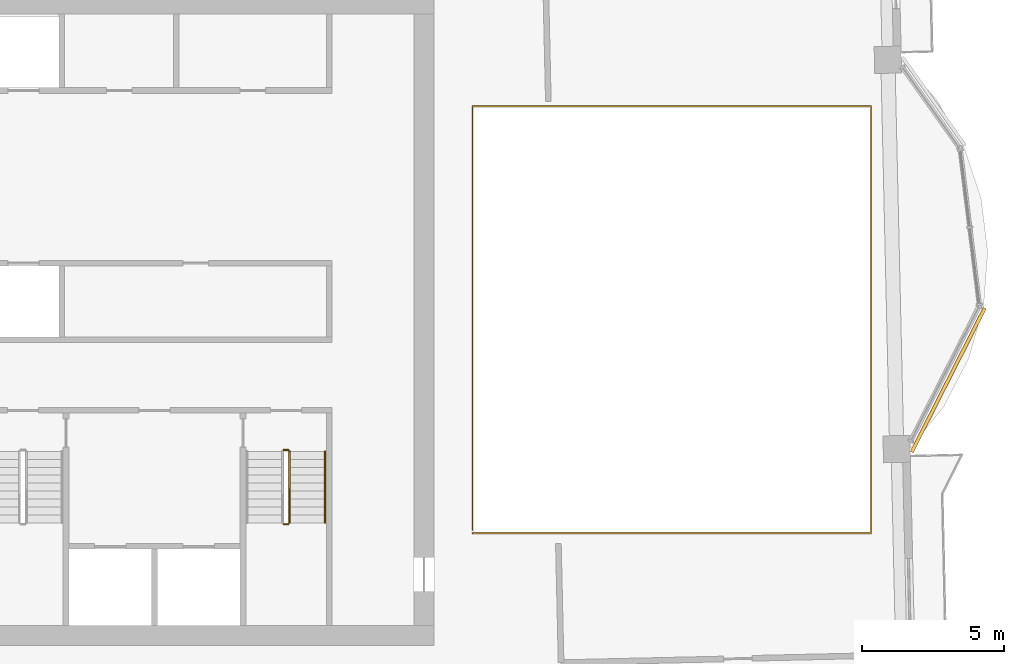
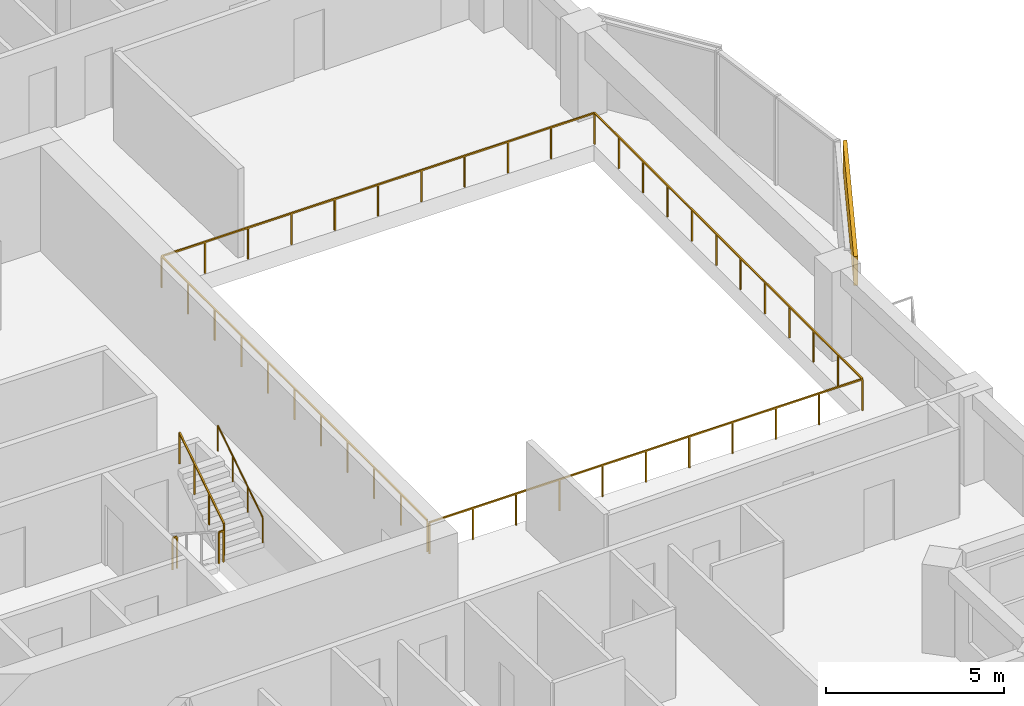
# One storey, part 19 of 20: 5 railings, 1 covering.
"""IFC4 building model written with IfcOpenShell, lengths in metres."""

from ifc_helpers import new_model, si_unit, direction, frame, frame_2d, origin, origin_2d, place, context, subcontext, project, spatial, rectangle, circle, extrude, material, layer, layer_set, type_object, element, save


model = new_model("IFC4")

# Units and contexts
model_context = context("Model", 3, precision=1e-05, world=origin(), true_north=direction((0.0, 1.0)))
body_context = subcontext(model_context, "Body", "Model", "MODEL_VIEW")
ifc_project = project(units=[si_unit("LENGTHUNIT", "METRE"), si_unit("AREAUNIT", "SQUARE_METRE"), si_unit("VOLUMEUNIT", "CUBIC_METRE"), si_unit("PLANEANGLEUNIT", "RADIAN"), si_unit("MASSUNIT", "GRAM", prefix="KILO")], contexts=[model_context])

# Site, building, storey
site_placement = place(None, origin())
site = spatial("IfcSite", under=ifc_project, at=site_placement, CompositionType="ELEMENT")
building_placement = place(site_placement, origin())
building = spatial("IfcBuilding", under=site, at=building_placement, Name="Mangrove Gate Tower", CompositionType="ELEMENT")
storey_placement = place(building_placement, frame((0.0, 0.0, 294.300048828125)))
storey = spatial("IfcBuildingStorey", under=building, at=storey_placement, Name="L75", CompositionType="ELEMENT", Elevation=294.300048828125)

# Railings
ifc_material_1 = material(Name="Stainless steel grade 316 with laminated glass infill", Category="steel")
railing_type_1 = type_object("IfcRailingType", Name="Balcony guard 1100", PredefinedType="GUARDRAIL", material=ifc_material_1)
railing_1_placement = place(storey_placement, frame((15.860107421875, -7.5400390625, 0.0)))
element("IfcRailing", 1, at=railing_1_placement, inside=storey, type_object=railing_type_1, Name="GUARD L75 atrium", PredefinedType="GUARDRAIL", context=body_context, shape_type="SweptSolid", body=[
    extrude(rectangle(XDim=0.048095703125, YDim=0.048095703125, at=origin_2d()), frame((0.0, 0.0, 1.076171875), z_axis=(1.0, 0.0, 0.0), x_axis=(0.0, 1.0, 0.0)), (0.0, 0.0, 1.0), 14.06982421875),
    extrude(rectangle(XDim=0.048095703125, YDim=0.048095703125, at=origin_2d()), frame((14.06982421875, 0.0, 1.076171875), z_axis=(0.0, 1.0, 0.0), x_axis=(-1.0, 0.0, 0.0)), (0.0, 0.0, 1.0), 15.080078125),
    extrude(rectangle(XDim=0.048095703125, YDim=0.048095703125, at=origin_2d()), frame((14.06982421875, 15.080078125, 1.076171875), z_axis=(-1.0, 0.0, 0.0), x_axis=(0.0, -1.0, 0.0)), (0.0, 0.0, 1.0), 14.06982421875),
    extrude(rectangle(XDim=0.048095703125, YDim=0.048095703125, at=origin_2d()), frame((0.0, 15.080078125, 1.076171875), z_axis=(0.0, -1.0, 0.0), x_axis=(1.0, 0.0, 0.0)), (0.0, 0.0, 1.0), 14.9599609375),
    extrude(rectangle(XDim=0.0419921875, YDim=0.0419921875, at=origin_2d()), origin(), (0.0, 0.0, 1.0), 1.052001953125),
    extrude(rectangle(XDim=0.0419921875, YDim=0.0419921875, at=origin_2d()), frame((1.406982421875, 0.0, 0.0)), (0.0, 0.0, 1.0), 1.052001953125),
    extrude(rectangle(XDim=0.0419921875, YDim=0.0419921875, at=origin_2d()), frame((2.81396484375, 0.0, 0.0)), (0.0, 0.0, 1.0), 1.052001953125),
    extrude(rectangle(XDim=0.0419921875, YDim=0.0419921875, at=origin_2d()), frame((4.220947265625, 0.0, 0.0)), (0.0, 0.0, 1.0), 1.052001953125),
    extrude(rectangle(XDim=0.0419921875, YDim=0.0419921875, at=origin_2d()), frame((5.6279296875, 0.0, 0.0)), (0.0, 0.0, 1.0), 1.052001953125),
    extrude(rectangle(XDim=0.0419921875, YDim=0.0419921875, at=origin_2d()), frame((7.034912109375, 0.0, 0.0)), (0.0, 0.0, 1.0), 1.052001953125),
    extrude(rectangle(XDim=0.0419921875, YDim=0.0419921875, at=origin_2d()), frame((8.44189453125, 0.0, 0.0)), (0.0, 0.0, 1.0), 1.052001953125),
    extrude(rectangle(XDim=0.0419921875, YDim=0.0419921875, at=origin_2d()), frame((9.848876953125, 0.0, 0.0)), (0.0, 0.0, 1.0), 1.052001953125),
    extrude(rectangle(XDim=0.0419921875, YDim=0.0419921875, at=origin_2d()), frame((11.255859375, 0.0, 0.0)), (0.0, 0.0, 1.0), 1.052001953125),
    extrude(rectangle(XDim=0.0419921875, YDim=0.0419921875, at=origin_2d()), frame((12.662841796875, 0.0, 0.0)), (0.0, 0.0, 1.0), 1.052001953125),
    extrude(rectangle(XDim=0.0419921875, YDim=0.0419921875, at=origin_2d()), frame((14.06982421875, 0.0, 0.0)), (0.0, 0.0, 1.0), 1.052001953125),
    extrude(rectangle(XDim=0.0419921875, YDim=0.0419921875, at=origin_2d()), frame((14.06982421875, 1.370849609375, 0.0)), (0.0, 0.0, 1.0), 1.052001953125),
    extrude(rectangle(XDim=0.0419921875, YDim=0.0419921875, at=origin_2d()), frame((14.06982421875, 2.741943359375, 0.0)), (0.0, 0.0, 1.0), 1.052001953125),
    extrude(rectangle(XDim=0.0419921875, YDim=0.0419921875, at=origin_2d()), frame((14.06982421875, 4.11279296875, 0.0)), (0.0, 0.0, 1.0), 1.052001953125),
    extrude(rectangle(XDim=0.0419921875, YDim=0.0419921875, at=origin_2d()), frame((14.06982421875, 5.483642578125, 0.0)), (0.0, 0.0, 1.0), 1.052001953125),
    extrude(rectangle(XDim=0.0419921875, YDim=0.0419921875, at=origin_2d()), frame((14.06982421875, 6.8544921875, 0.0)), (0.0, 0.0, 1.0), 1.052001953125),
    extrude(rectangle(XDim=0.0419921875, YDim=0.0419921875, at=origin_2d()), frame((14.06982421875, 8.2255859375, 0.0)), (0.0, 0.0, 1.0), 1.052001953125),
    extrude(rectangle(XDim=0.0419921875, YDim=0.0419921875, at=origin_2d()), frame((14.06982421875, 9.596435546875, 0.0)), (0.0, 0.0, 1.0), 1.052001953125),
    extrude(rectangle(XDim=0.0419921875, YDim=0.0419921875, at=origin_2d()), frame((14.06982421875, 10.96728515625, 0.0)), (0.0, 0.0, 1.0), 1.052001953125),
    extrude(rectangle(XDim=0.0419921875, YDim=0.0419921875, at=origin_2d()), frame((14.06982421875, 12.338134765625, 0.0)), (0.0, 0.0, 1.0), 1.052001953125),
    extrude(rectangle(XDim=0.0419921875, YDim=0.0419921875, at=origin_2d()), frame((14.06982421875, 13.709228515625, 0.0)), (0.0, 0.0, 1.0), 1.052001953125),
    extrude(rectangle(XDim=0.0419921875, YDim=0.0419921875, at=origin_2d()), frame((14.06982421875, 15.080078125, 0.0)), (0.0, 0.0, 1.0), 1.052001953125),
    extrude(rectangle(XDim=0.0419921875, YDim=0.0419921875, at=origin_2d()), frame((12.662841796875, 15.080078125, 0.0)), (0.0, 0.0, 1.0), 1.052001953125),
    extrude(rectangle(XDim=0.0419921875, YDim=0.0419921875, at=origin_2d()), frame((11.255859375, 15.080078125, 0.0)), (0.0, 0.0, 1.0), 1.052001953125),
    extrude(rectangle(XDim=0.0419921875, YDim=0.0419921875, at=origin_2d()), frame((9.848876953125, 15.080078125, 0.0)), (0.0, 0.0, 1.0), 1.052001953125),
    extrude(rectangle(XDim=0.0419921875, YDim=0.0419921875, at=origin_2d()), frame((8.44189453125, 15.080078125, 0.0)), (0.0, 0.0, 1.0), 1.052001953125),
    extrude(rectangle(XDim=0.0419921875, YDim=0.0419921875, at=origin_2d()), frame((7.034912109375, 15.080078125, 0.0)), (0.0, 0.0, 1.0), 1.052001953125),
    extrude(rectangle(XDim=0.0419921875, YDim=0.0419921875, at=origin_2d()), frame((5.6279296875, 15.080078125, 0.0)), (0.0, 0.0, 1.0), 1.052001953125),
    extrude(rectangle(XDim=0.0419921875, YDim=0.0419921875, at=origin_2d()), frame((4.220947265625, 15.080078125, 0.0)), (0.0, 0.0, 1.0), 1.052001953125),
    extrude(rectangle(XDim=0.0419921875, YDim=0.0419921875, at=origin_2d()), frame((2.81396484375, 15.080078125, 0.0)), (0.0, 0.0, 1.0), 1.052001953125),
    extrude(rectangle(XDim=0.0419921875, YDim=0.0419921875, at=origin_2d()), frame((1.406982421875, 15.080078125, 0.0)), (0.0, 0.0, 1.0), 1.052001953125),
    extrude(rectangle(XDim=0.0419921875, YDim=0.0419921875, at=origin_2d()), frame((0.0, 15.080078125, 0.0)), (0.0, 0.0, 1.0), 1.052001953125),
    extrude(rectangle(XDim=0.0419921875, YDim=0.0419921875, at=origin_2d()), frame((0.0, 13.583984375, 0.0)), (0.0, 0.0, 1.0), 1.052001953125),
    extrude(rectangle(XDim=0.0419921875, YDim=0.0419921875, at=origin_2d()), frame((0.0, 12.088134765625, 0.0)), (0.0, 0.0, 1.0), 1.052001953125),
    extrude(rectangle(XDim=0.0419921875, YDim=0.0419921875, at=origin_2d()), frame((0.0, 10.592041015625, 0.0)), (0.0, 0.0, 1.0), 1.052001953125),
    extrude(rectangle(XDim=0.0419921875, YDim=0.0419921875, at=origin_2d()), frame((0.0, 9.09619140625, 0.0)), (0.0, 0.0, 1.0), 1.052001953125),
    extrude(rectangle(XDim=0.0419921875, YDim=0.0419921875, at=origin_2d()), frame((0.0, 7.60009765625, 0.0)), (0.0, 0.0, 1.0), 1.052001953125),
    extrude(rectangle(XDim=0.0419921875, YDim=0.0419921875, at=origin_2d()), frame((0.0, 6.10400390625, 0.0)), (0.0, 0.0, 1.0), 1.052001953125),
    extrude(rectangle(XDim=0.0419921875, YDim=0.0419921875, at=origin_2d()), frame((0.0, 4.608154296875, 0.0)), (0.0, 0.0, 1.0), 1.052001953125),
    extrude(rectangle(XDim=0.0419921875, YDim=0.0419921875, at=origin_2d()), frame((0.0, 3.112060546875, 0.0)), (0.0, 0.0, 1.0), 1.052001953125),
    extrude(rectangle(XDim=0.0419921875, YDim=0.0419921875, at=origin_2d()), frame((0.0, 1.6162109375, 0.0)), (0.0, 0.0, 1.0), 1.052001953125),
    extrude(rectangle(XDim=0.0419921875, YDim=0.0419921875, at=origin_2d()), frame((0.0, 0.1201171875, 0.0)), (0.0, 0.0, 1.0), 1.052001953125),
])
ifc_material_2 = material(Name="Stainless steel 316", Category="steel")
railing_type_2 = type_object("IfcRailingType", Name="Core stair guard 1100", PredefinedType="GUARDRAIL", material=ifc_material_2)
railing_2_placement = place(storey_placement, frame((9.199951171875, -7.219970703125, 1.800048828125)))
element("IfcRailing", 2, at=railing_2_placement, inside=storey, type_object=railing_type_2, Name="L75 ST3 stair guard 2", PredefinedType="GUARDRAIL", context=body_context, shape_type="SweptSolid", body=[
    extrude(rectangle(XDim=0.048095703125, YDim=0.048095703125, at=origin_2d()), frame((0.0, 0.0, 1.076171875), z_axis=(1.0, 0.0, 0.0), x_axis=(0.0, 1.0, 0.0)), (0.0, 0.0, 1.0), 0.150146484375),
    extrude(rectangle(XDim=0.0419921875, YDim=0.0419921875, at=origin_2d()), origin(), (0.0, 0.0, 1.0), 1.052001953125),
    extrude(rectangle(XDim=0.0419921875, YDim=0.0419921875, at=origin_2d()), frame((0.150146484375, 0.0, 0.0)), (0.0, 0.0, 1.0), 1.052001953125),
])
railing_3_placement = place(storey_placement, frame((9.39990234375, -7.169921875, 1.97998046875)))
element("IfcRailing", 3, at=railing_3_placement, inside=storey, type_object=railing_type_2, Name="L75 ST3 stair guard 3", PredefinedType="GUARDRAIL", context=body_context, shape_type="SweptSolid", body=[
    extrude(rectangle(XDim=0.048095703125, YDim=0.048095703125, at=origin_2d()), frame((0.0, 0.0, 1.076171875), z_axis=(0.0, 0.841199657755, 0.540724639528), x_axis=(-1.0, 0.0, 0.0)), (0.0, 0.0, 1.0), 2.995849609375),
    extrude(rectangle(XDim=0.0419921875, YDim=0.0419921875, at=origin_2d()), origin(), (0.0, 0.0, 1.0), 1.052001953125),
    extrude(rectangle(XDim=0.0419921875, YDim=0.0419921875, at=origin_2d()), frame((0.0, 0.840087890625, 0.5400390625)), (0.0, 0.0, 1.0), 1.052001953125),
    extrude(rectangle(XDim=0.0419921875, YDim=0.0419921875, at=origin_2d()), frame((0.0, 1.679931640625, 1.079833984375)), (0.0, 0.0, 1.0), 1.052001953125),
    extrude(rectangle(XDim=0.0419921875, YDim=0.0419921875, at=origin_2d()), frame((0.0, 2.52001953125, 1.619873046875)), (0.0, 0.0, 1.0), 1.052001953125),
])
railing_4_placement = place(storey_placement, frame((9.199951171875, -4.60009765625, 0.0)))
element("IfcRailing", 4, at=railing_4_placement, inside=storey, type_object=railing_type_2, Name="L75 ST3 stair guard 4", PredefinedType="GUARDRAIL", context=body_context, shape_type="SweptSolid", body=[
    extrude(rectangle(XDim=0.048095703125, YDim=0.048095703125, at=origin_2d()), frame((0.0, 0.0, 1.076171875), z_axis=(1.0, 0.0, 0.0), x_axis=(0.0, 1.0, 0.0)), (0.0, 0.0, 1.0), 0.150146484375),
    extrude(rectangle(XDim=0.0419921875, YDim=0.0419921875, at=origin_2d()), origin(), (0.0, 0.0, 1.0), 1.052001953125),
    extrude(rectangle(XDim=0.0419921875, YDim=0.0419921875, at=origin_2d()), frame((0.150146484375, 0.0, 0.0)), (0.0, 0.0, 1.0), 1.052001953125),
])
ifc_material_3 = material(Name="Stainless steel 316", Category="steel")
railing_type_3 = type_object("IfcRailingType", Name="Core stair handrail 900", PredefinedType="HANDRAIL", material=ifc_material_3)
railing_5_placement = place(storey_placement, frame((10.64990234375, -7.169921875, 1.97998046875)))
element("IfcRailing", 5, at=railing_5_placement, inside=storey, type_object=railing_type_3, Name="L75 ST3 stair handrail 2", PredefinedType="HANDRAIL", context=body_context, shape_type="SweptSolid", body=[
    extrude(circle(Radius=0.02392578125, at=origin_2d()), frame((0.0, 0.0, 0.8759765625), z_axis=(0.0, 0.841199657755, 0.540724639528), x_axis=(-1.0, 0.0, 0.0)), (0.0, 0.0, 1.0), 2.995849609375),
    extrude(circle(Radius=0.02099609375, at=origin_2d()), origin(), (0.0, 0.0, 1.0), 0.851806640625),
    extrude(circle(Radius=0.02099609375, at=origin_2d()), frame((0.0, 0.840087890625, 0.5400390625)), (0.0, 0.0, 1.0), 0.851806640625),
    extrude(circle(Radius=0.02099609375, at=origin_2d()), frame((0.0, 1.679931640625, 1.079833984375)), (0.0, 0.0, 1.0), 0.851806640625),
    extrude(circle(Radius=0.02099609375, at=origin_2d()), frame((0.0, 2.52001953125, 1.619873046875)), (0.0, 0.0, 1.0), 0.851806640625),
])

# Covering
ifc_material_4 = material(Name="Limestone", Category="masonry")
ifc_layer_1 = layer(ifc_material_4, 0.0400390625, Name="Limestone cladding")
ifc_material_5 = material(Name="Stainless steel anchors and cavity", Category="steel")
ifc_layer_2 = layer(ifc_material_5, 0.080078125, Name="Fixing cavity")
ifc_layer_set = layer_set([ifc_layer_1, ifc_layer_2], Name="Joint fascia cladding 120")
covering_type = type_object("IfcCoveringType", Name="Joint fascia cladding 120", PredefinedType="CLADDING", material=ifc_layer_set)
covering_placement = place(storey_placement, frame((31.36962890625, -4.674560546875, 2.050048828125), z_axis=(0.0, 0.0, 1.0), x_axis=(0.452616431896, 0.891705313194, 0.0)))
element("IfcCovering", 6, at=covering_placement, inside=storey, type_object=covering_type, Name="STONE FASCIA L75 E1.L1", PredefinedType="CLADDING", context=body_context, shape_type="SweptSolid", body=[
    extrude(rectangle(XDim=5.703125, YDim=0.1201171875, at=frame_2d((2.8515625, 0.0))), origin(), (0.0, 0.0, 1.0), 1.0),
])

save(model, "model.ifc")
